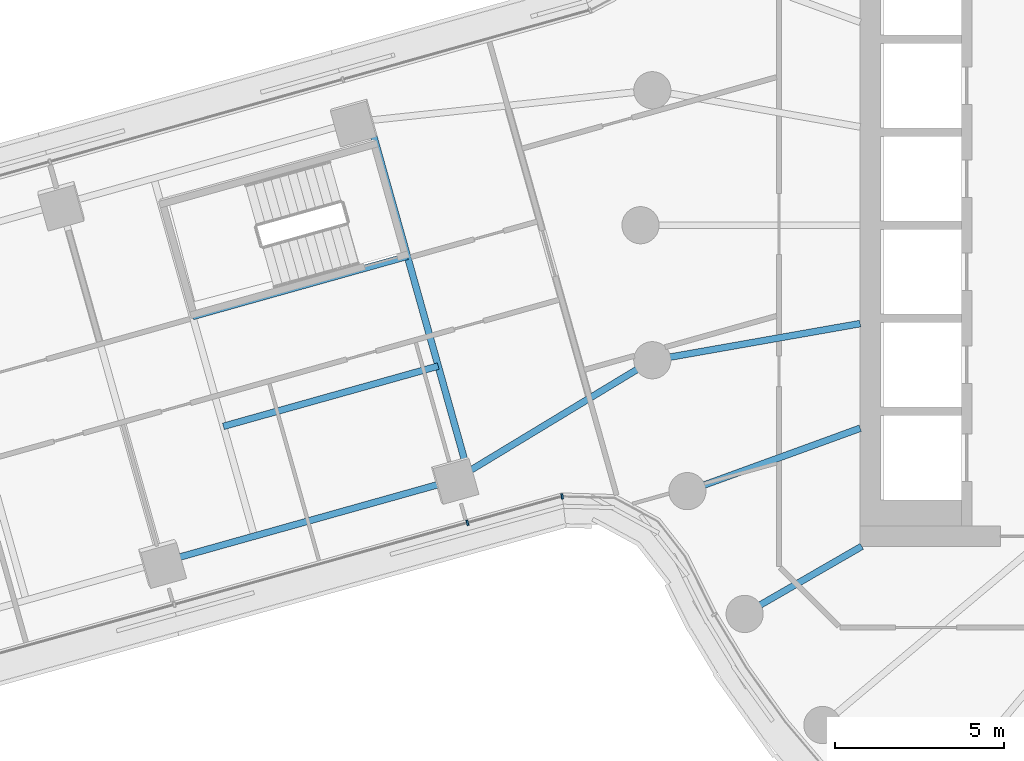
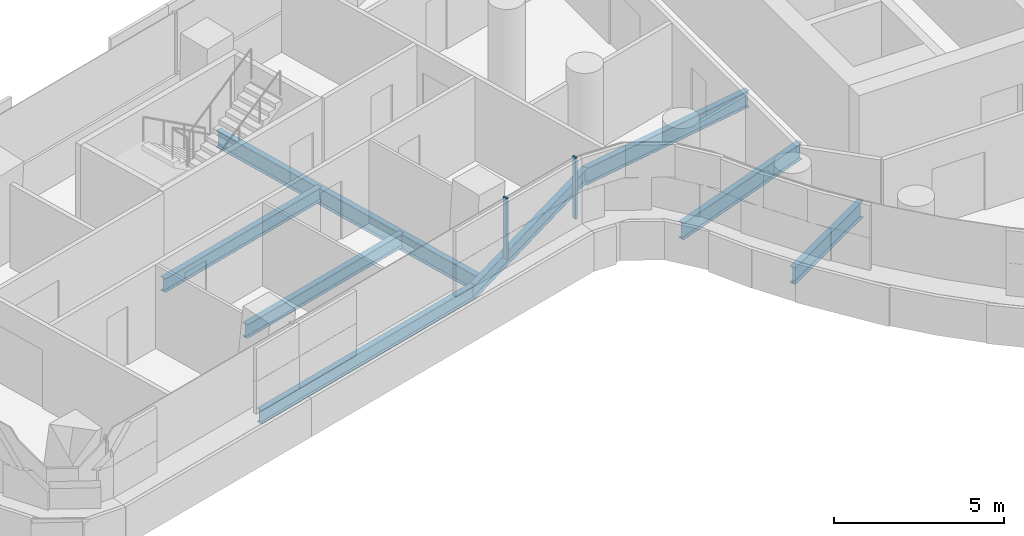
# One storey, part 5 of 30: 8 beams, 2 members, 2 elements without a shape of their own.
"""IFC4 building model written with IfcOpenShell, lengths in metres."""

from ifc_helpers import new_model, si_unit, direction, frame, origin, origin_2d, place, context, subcontext, project, spatial, rectangle, i_section, extrude, material, layer, layer_set, material_profile, profile_set, type_object, element, aggregate, save


model = new_model("IFC4")

# Units and contexts
model_context = context("Model", 3, precision=1e-05, world=origin(), true_north=direction((0.0, 1.0)))
body_context = subcontext(model_context, "Body", "Model", "MODEL_VIEW")
ifc_project = project(units=[si_unit("LENGTHUNIT", "METRE"), si_unit("AREAUNIT", "SQUARE_METRE"), si_unit("VOLUMEUNIT", "CUBIC_METRE"), si_unit("PLANEANGLEUNIT", "RADIAN"), si_unit("MASSUNIT", "GRAM", prefix="KILO")], contexts=[model_context])

# Site, building, storey
site_placement = place(None, origin())
site = spatial("IfcSite", under=ifc_project, at=site_placement, CompositionType="ELEMENT")
building_placement = place(site_placement, origin())
building = spatial("IfcBuilding", under=site, at=building_placement, Name="Tamarind Cross Interchange Tower", CompositionType="ELEMENT")
storey_placement = place(building_placement, frame((0.0, 0.0, 91.0)))
storey = spatial("IfcBuildingStorey", under=building, at=storey_placement, Name="L21", CompositionType="ELEMENT", Elevation=91.0)

# Beams
ifc_material_1 = material(Name="Steel Q355B", Category="steel")
ifc_material_profile_1 = material_profile(ifc_material_1, i_section(OverallWidth=0.198974609375, OverallDepth=0.49609375, WebThickness=0.009033203125, FlangeThickness=0.013916015625, FilletRadius=0.012939453125, at=origin_2d()), Name="HN 496x199x9x14")
ifc_profile_set_1 = profile_set([ifc_material_profile_1], Name="Steel Q355B")
beam_type_1 = type_object("IfcBeamType", Name="Composite beam HN 496x199x9x14 Q355B", PredefinedType="BEAM", material=ifc_profile_set_1)
beam_1_placement = place(storey_placement, frame((-37.171142578125, -9.96875, -0.387939453125), z_axis=(0.96282528208, 0.270124927, 0.0), x_axis=(-0.270124927, 0.96282528208, 0.0)))
element("IfcBeam", 1, at=beam_1_placement, inside=storey, type_object=beam_type_1, Name="Beam W-edgeep3", PredefinedType="BEAM", context=body_context, shape_type="SweptSolid", body=[
    extrude(i_section(OverallWidth=0.198974609375, OverallDepth=0.49609375, WebThickness=0.009033203125, FlangeThickness=0.013916015625, FilletRadius=0.012939453125, at=origin_2d()), origin(), (0.0, 0.0, 1.0), 9.0),
])
beam_2_placement = place(storey_placement, frame((-28.505615234375, -7.53759765625, -0.387939453125), z_axis=(0.855506732579, 0.517791686406, 0.0), x_axis=(-0.517791686406, 0.855506732579, 0.0)))
element("IfcBeam", 2, at=beam_2_placement, inside=storey, type_object=beam_type_1, Name="Beam W-linkep", PredefinedType="BEAM", context=body_context, shape_type="SweptSolid", body=[
    extrude(i_section(OverallWidth=0.198974609375, OverallDepth=0.49609375, WebThickness=0.009033203125, FlangeThickness=0.013916015625, FilletRadius=0.012939453125, at=origin_2d()), origin(), (0.0, 0.0, 1.0), 6.843994140625),
])
for number, where, z_axis, x_axis, name in (
    (3, (-29.895751953125, -0.9169921875, -0.387939453125), (-0.962820972304, -0.270140288168, 0.0), (0.270140288168, -0.962820972304, 0.0), "Beam W-tr1"),
    (4, (-28.984130859375, -4.16650390625, -0.387939453125), (-0.962820972304, -0.270140288168, 0.0), (0.270140288168, -0.962820972304, 0.0), "Beam W-stripp"),
):
    element("IfcBeam", number, at=place(storey_placement, frame(where, z_axis=z_axis, x_axis=x_axis)), inside=storey, type_object=beam_type_1, Name=name, PredefinedType="BEAM", context=body_context, shape_type="SweptSolid", body=[
        extrude(i_section(OverallWidth=0.198974609375, OverallDepth=0.49609375, WebThickness=0.009033203125, FlangeThickness=0.013916015625, FilletRadius=0.012939453125, at=origin_2d()), origin(), (0.0, 0.0, 1.0), 6.60009765625),
    ])
ifc_material_profile_2 = material_profile(ifc_material_1, i_section(OverallWidth=0.198974609375, OverallDepth=0.595947265625, WebThickness=0.010009765625, FlangeThickness=0.014892578125, FilletRadius=0.012939453125, at=origin_2d()), Name="HN 596x199x10x15")
ifc_profile_set_2 = profile_set([ifc_material_profile_2], Name="Steel Q355B")
beam_type_2 = type_object("IfcBeamType", Name="Composite beam HN 596x199x10x15 Q355B", PredefinedType="BEAM", material=ifc_profile_set_2)
beam_3_placement = place(storey_placement, frame((-22.650634765625, -3.993896484375, -0.43798828125), z_axis=(0.984809127561, 0.173640382036, 0.0), x_axis=(-0.173640382036, 0.984809127561, 0.0)))
element("IfcBeam", 5, at=beam_3_placement, inside=storey, type_object=beam_type_2, Name="Beam HH19", PredefinedType="BEAM", context=body_context, shape_type="SweptSolid", body=[
    extrude(i_section(OverallWidth=0.198974609375, OverallDepth=0.595947265625, WebThickness=0.010009765625, FlangeThickness=0.014892578125, FilletRadius=0.012939453125, at=origin_2d()), origin(), (0.0, 0.0, 1.0), 6.24560546875),
])
beam_4_placement = place(storey_placement, frame((-21.613037109375, -7.866455078125, -0.43798828125), z_axis=(0.939701685589, 0.341995236956, 0.0), x_axis=(-0.341995236956, 0.939701685589, 0.0)))
element("IfcBeam", 6, at=beam_4_placement, inside=storey, type_object=beam_type_2, Name="Beam HH20", PredefinedType="BEAM", context=body_context, shape_type="SweptSolid", body=[
    extrude(i_section(OverallWidth=0.198974609375, OverallDepth=0.595947265625, WebThickness=0.010009765625, FlangeThickness=0.014892578125, FilletRadius=0.012939453125, at=origin_2d()), origin(), (0.0, 0.0, 1.0), 5.441162109375),
])
beam_5_placement = place(storey_placement, frame((-19.918701171875, -11.5, -0.43798828125), z_axis=(0.866026010844, 0.49999894854, 0.0), x_axis=(-0.49999894854, 0.866026010844, 0.0)))
element("IfcBeam", 7, at=beam_5_placement, inside=storey, type_object=beam_type_2, Name="Beam HH21", PredefinedType="BEAM", context=body_context, shape_type="SweptSolid", body=[
    extrude(i_section(OverallWidth=0.198974609375, OverallDepth=0.595947265625, WebThickness=0.010009765625, FlangeThickness=0.014892578125, FilletRadius=0.012939453125, at=origin_2d()), origin(), (0.0, 0.0, 1.0), 4.0),
])
ifc_material_profile_3 = material_profile(ifc_material_1, i_section(OverallWidth=0.199951171875, OverallDepth=0.60009765625, WebThickness=0.010986328125, FlangeThickness=0.01708984375, FilletRadius=0.012939453125, at=origin_2d()), Name="HN 600x200x11x17")
ifc_profile_set_3 = profile_set([ifc_material_profile_3], Name="Steel Q355B")
beam_type_3 = type_object("IfcBeamType", Name="Composite beam HN 600x200x11x17 Q355B", PredefinedType="BEAM", material=ifc_profile_set_3)
beam_6_placement = place(storey_placement, frame((-31.0234375, 3.101806640625, -0.43994140625), z_axis=(0.27013469552, -0.962822541425, 0.0), x_axis=(0.962822541425, 0.27013469552, 0.0)))
element("IfcBeam", 8, at=beam_6_placement, inside=storey, type_object=beam_type_3, Name="Beam W-x298", PredefinedType="BEAM", context=body_context, shape_type="SweptSolid", body=[
    extrude(i_section(OverallWidth=0.199951171875, OverallDepth=0.60009765625, WebThickness=0.010986328125, FlangeThickness=0.01708984375, FilletRadius=0.012939453125, at=origin_2d()), origin(), (0.0, 0.0, 1.0), 10.799072265625),
])

# Curtain wall, member
ifc_material_2 = material(Name="Aluminium 6063-T6", Category="aluminium")
ifc_layer = layer(ifc_material_2, 0.159912109375)
ifc_layer_set = layer_set([ifc_layer], Name="Aluminium 6063-T6")
curtain_wall_type = type_object("IfcCurtainWallType", Name="Office curtain wall, 9.0 m bays", PredefinedType="NOTDEFINED", material=ifc_layer_set)
curtain_wall_1_placement = place(storey_placement, origin())
curtain_wall_1 = element("IfcCurtainWall", 9, at=curtain_wall_1_placement, inside=storey, type_object=curtain_wall_type, Name="CWS-L21-13", PredefinedType="NOTDEFINED")
ifc_material_profile_4 = material_profile(ifc_material_2, rectangle(XDim=0.06005859375, YDim=0.159912109375, at=origin_2d()), Name="Mullion CW1")
ifc_profile_set_4 = profile_set([ifc_material_profile_4], Name="Aluminium 6063-T6")
member_type = type_object("IfcMemberType", Name="Mullion CW1", PredefinedType="MULLION", material=ifc_profile_set_4)
member_1_placement = place(storey_placement, frame((-28.11962890625, -8.802978515625, 1.39990234375), z_axis=(0.0, 0.0, 1.0), x_axis=(0.963187452767, 0.26883067316, 0.0)))
member_1 = element("IfcMember", 10, at=member_1_placement, type_object=member_type, Name="CWM-L21-13-02", PredefinedType="MULLION", context=body_context, shape_type="SweptSolid", body=[
    extrude(rectangle(XDim=0.06005859375, YDim=0.159912109375, at=origin_2d()), origin(), (0.0, 0.0, 1.0), 2.210205078125),
])
aggregate(curtain_wall_1, [member_1])

curtain_wall_2_placement = place(storey_placement, origin())
curtain_wall_2 = element("IfcCurtainWall", 11, at=curtain_wall_2_placement, inside=storey, type_object=curtain_wall_type, Name="CWS-L21-14", PredefinedType="NOTDEFINED")
member_2_placement = place(storey_placement, frame((-25.31640625, -8.020751953125, 1.39990234375), z_axis=(0.0, 0.0, 1.0), x_axis=(0.992598872251, 0.121439197982, 0.0)))
member_2 = element("IfcMember", 12, at=member_2_placement, type_object=member_type, Name="CWM-L21-14-00", PredefinedType="MULLION", context=body_context, shape_type="SweptSolid", body=[
    extrude(rectangle(XDim=0.06005859375, YDim=0.159912109375, at=origin_2d()), origin(), (0.0, 0.0, 1.0), 2.210205078125),
])
aggregate(curtain_wall_2, [member_2])

save(model, "model.ifc")
